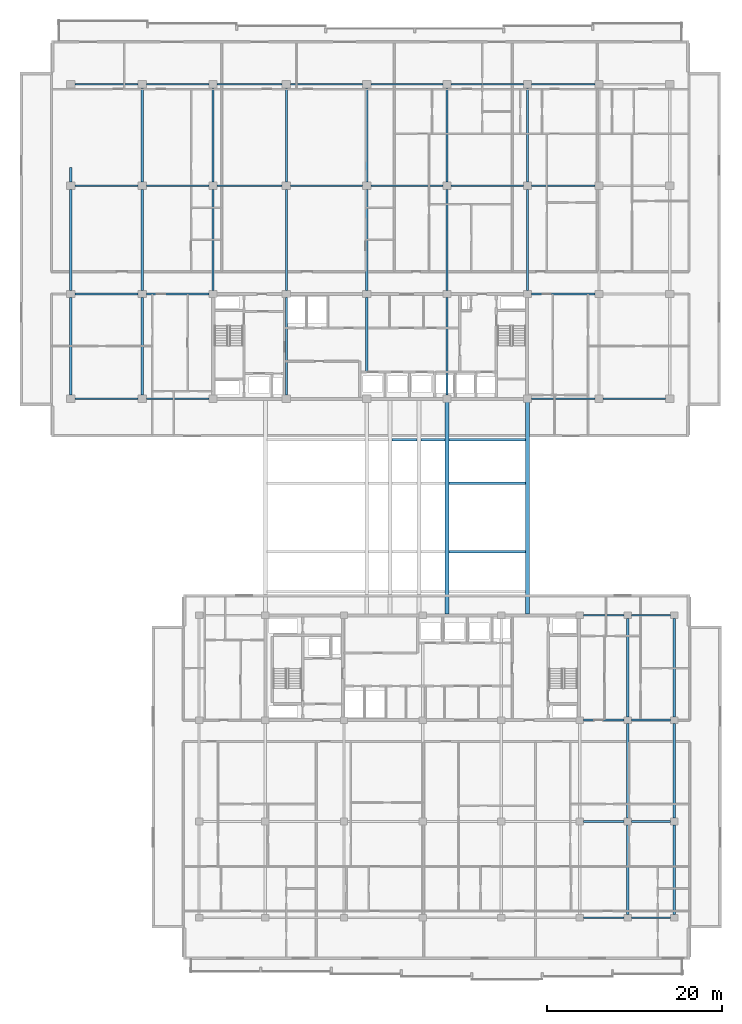
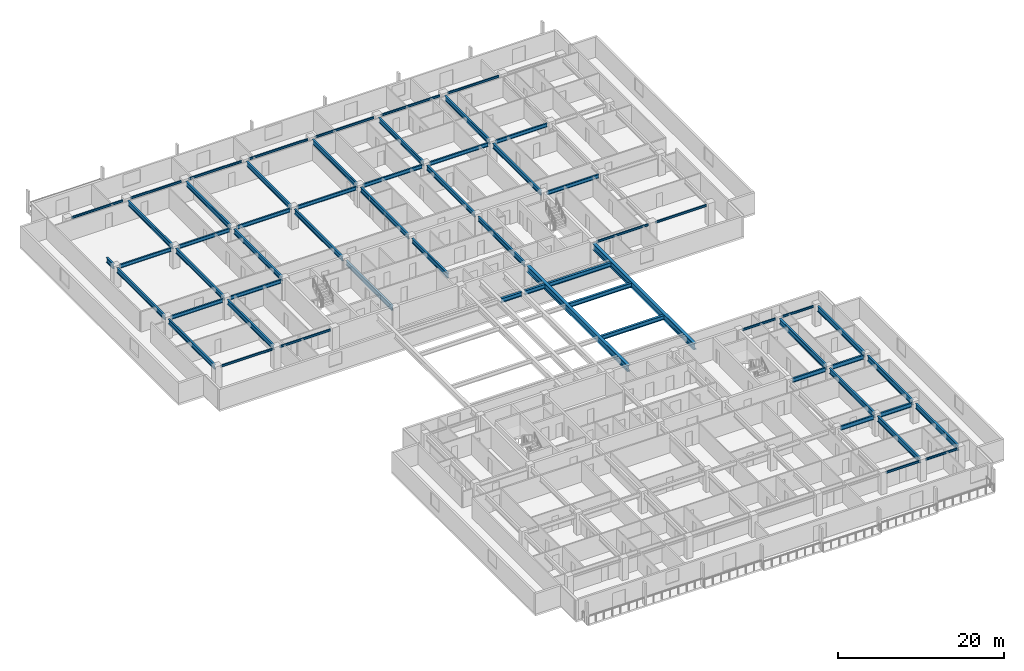
# One storey, part 2 of 21: 61 beams.
"""IFC4 building model written with IfcOpenShell, lengths in metres."""

from ifc_helpers import new_model, si_unit, direction, frame, origin, origin_2d, place, context, subcontext, project, spatial, i_section, extrude, material, material_profile, profile_set, type_object, element, save


model = new_model("IFC4")

# Units and contexts
model_context = context("Model", 3, precision=1e-05, world=origin(), true_north=direction((0.0, 1.0)))
body_context = subcontext(model_context, "Body", "Model", "MODEL_VIEW")
ifc_project = project(units=[si_unit("LENGTHUNIT", "METRE"), si_unit("AREAUNIT", "SQUARE_METRE"), si_unit("VOLUMEUNIT", "CUBIC_METRE"), si_unit("PLANEANGLEUNIT", "RADIAN"), si_unit("MASSUNIT", "GRAM", prefix="KILO")], contexts=[model_context])

# Site, building, storey
site_placement = place(None, origin())
site = spatial("IfcSite", under=ifc_project, at=site_placement, CompositionType="ELEMENT")
building_placement = place(site_placement, origin())
building = spatial("IfcBuilding", under=site, at=building_placement, Name="Korimba Cascade Residences", CompositionType="ELEMENT")
storey_placement = place(building_placement, frame((0.0, 0.0, 136.050048828125)))
storey = spatial("IfcBuildingStorey", under=building, at=storey_placement, Name="L39", CompositionType="ELEMENT", Elevation=136.050048828125)

# Beams
ifc_material_1 = material(Name="Steel S355", Category="steel")
ifc_material_profile_1 = material_profile(ifc_material_1, i_section(OverallWidth=0.165771484375, OverallDepth=0.306640625, WebThickness=0.006591796875, FlangeThickness=0.01171875, FilletRadius=0.0087890625, at=origin_2d()), Name="Steel S355")
ifc_profile_set_1 = profile_set([ifc_material_profile_1], Name="Steel S355")
beam_type_1 = type_object("IfcBeamType", Name="BM-STL-UB305", PredefinedType="SPANDREL", material=ifc_profile_set_1)
beam_1_placement = place(storey_placement, frame((60.27490234375, 55.199951171875, 2.806640625), z_axis=(1.0, 0.0, 0.0), x_axis=(0.0, 1.0, 0.0)))
element("IfcBeam", 1, at=beam_1_placement, inside=storey, type_object=beam_type_1, Name="L39 T1 E-W Girder Y1 Bay 1", PredefinedType="SPANDREL", context=body_context, shape_type="SweptSolid", body=[
    extrude(i_section(OverallWidth=0.165771484375, OverallDepth=0.306640625, WebThickness=0.006591796875, FlangeThickness=0.01171875, FilletRadius=0.0087890625, at=origin_2d()), origin(), (0.0, 0.0, 1.0), 7.25),
])
beam_2_placement = place(storey_placement, frame((68.47509765625, 55.199951171875, 2.806640625), z_axis=(1.0, 0.0, 0.0), x_axis=(0.0, 1.0, 0.0)))
element("IfcBeam", 2, at=beam_2_placement, inside=storey, type_object=beam_type_1, Name="L39 T1 E-W Girder Y1 Bay 2", PredefinedType="SPANDREL", context=body_context, shape_type="SweptSolid", body=[
    extrude(i_section(OverallWidth=0.165771484375, OverallDepth=0.306640625, WebThickness=0.006591796875, FlangeThickness=0.01171875, FilletRadius=0.0087890625, at=origin_2d()), origin(), (0.0, 0.0, 1.0), 7.14990234375),
])
beam_3_placement = place(storey_placement, frame((112.574951171875, 55.199951171875, 2.806640625), z_axis=(1.0, 0.0, 0.0), x_axis=(0.0, 1.0, 0.0)))
element("IfcBeam", 3, at=beam_3_placement, inside=storey, type_object=beam_type_1, Name="L39 T1 E-W Girder Y1 Bay 7", PredefinedType="SPANDREL", context=body_context, shape_type="SweptSolid", body=[
    extrude(i_section(OverallWidth=0.165771484375, OverallDepth=0.306640625, WebThickness=0.006591796875, FlangeThickness=0.01171875, FilletRadius=0.0087890625, at=origin_2d()), origin(), (0.0, 0.0, 1.0), 7.25),
])
beam_4_placement = place(storey_placement, frame((120.77490234375, 55.199951171875, 2.806640625), z_axis=(1.0, 0.0, 0.0), x_axis=(0.0, 1.0, 0.0)))
element("IfcBeam", 4, at=beam_4_placement, inside=storey, type_object=beam_type_1, Name="L39 T1 E-W Girder Y1 Bay 8", PredefinedType="SPANDREL", context=body_context, shape_type="SweptSolid", body=[
    extrude(i_section(OverallWidth=0.165771484375, OverallDepth=0.306640625, WebThickness=0.006591796875, FlangeThickness=0.01171875, FilletRadius=0.0087890625, at=origin_2d()), origin(), (0.0, 0.0, 1.0), 7.150146484375),
])
beam_5_placement = place(storey_placement, frame((60.27490234375, 91.199951171875, 2.806640625), z_axis=(1.0, 0.0, 0.0), x_axis=(0.0, 1.0, 0.0)))
element("IfcBeam", 5, at=beam_5_placement, inside=storey, type_object=beam_type_1, Name="L39 T1 E-W Girder Y4 Bay 1", PredefinedType="SPANDREL", context=body_context, shape_type="SweptSolid", body=[
    extrude(i_section(OverallWidth=0.165771484375, OverallDepth=0.306640625, WebThickness=0.006591796875, FlangeThickness=0.01171875, FilletRadius=0.0087890625, at=origin_2d()), origin(), (0.0, 0.0, 1.0), 7.25),
])
beam_6_placement = place(storey_placement, frame((68.47509765625, 91.199951171875, 2.806640625), z_axis=(1.0, 0.0, 0.0), x_axis=(0.0, 1.0, 0.0)))
element("IfcBeam", 6, at=beam_6_placement, inside=storey, type_object=beam_type_1, Name="L39 T1 E-W Girder Y4 Bay 2", PredefinedType="SPANDREL", context=body_context, shape_type="SweptSolid", body=[
    extrude(i_section(OverallWidth=0.165771484375, OverallDepth=0.306640625, WebThickness=0.006591796875, FlangeThickness=0.01171875, FilletRadius=0.0087890625, at=origin_2d()), origin(), (0.0, 0.0, 1.0), 7.14990234375),
])
beam_7_placement = place(storey_placement, frame((76.574951171875, 91.199951171875, 2.806640625), z_axis=(1.0, 0.0, 0.0), x_axis=(0.0, 1.0, 0.0)))
element("IfcBeam", 7, at=beam_7_placement, inside=storey, type_object=beam_type_1, Name="L39 T1 E-W Girder Y4 Bay 3", PredefinedType="SPANDREL", context=body_context, shape_type="SweptSolid", body=[
    extrude(i_section(OverallWidth=0.165771484375, OverallDepth=0.306640625, WebThickness=0.006591796875, FlangeThickness=0.01171875, FilletRadius=0.0087890625, at=origin_2d()), origin(), (0.0, 0.0, 1.0), 7.449951171875),
])
for number, where, z_axis, x_axis, name in (
    (8, (84.97509765625, 91.199951171875, 2.806640625), (1.0, 0.0, 0.0), (0.0, 1.0, 0.0), "L39 T1 E-W Girder Y4 Bay 4"),
    (9, (94.175048828125, 91.199951171875, 2.806640625), (1.0, 0.0, 0.0), (0.0, 1.0, 0.0), "L39 T1 E-W Girder Y4 Bay 5"),
    (10, (103.375, 91.199951171875, 2.806640625), (1.0, 0.0, 0.0), (0.0, 1.0, 0.0), "L39 T1 E-W Girder Y4 Bay 6"),
):
    element("IfcBeam", number, at=place(storey_placement, frame(where, z_axis=z_axis, x_axis=x_axis)), inside=storey, type_object=beam_type_1, Name=name, PredefinedType="SPANDREL", context=body_context, shape_type="SweptSolid", body=[
        extrude(i_section(OverallWidth=0.165771484375, OverallDepth=0.306640625, WebThickness=0.006591796875, FlangeThickness=0.01171875, FilletRadius=0.0087890625, at=origin_2d()), origin(), (0.0, 0.0, 1.0), 8.25),
    ])
beam_8_placement = place(storey_placement, frame((112.574951171875, 91.199951171875, 2.806640625), z_axis=(1.0, 0.0, 0.0), x_axis=(0.0, 1.0, 0.0)))
element("IfcBeam", 11, at=beam_8_placement, inside=storey, type_object=beam_type_1, Name="L39 T1 E-W Girder Y4 Bay 7", PredefinedType="SPANDREL", context=body_context, shape_type="SweptSolid", body=[
    extrude(i_section(OverallWidth=0.165771484375, OverallDepth=0.306640625, WebThickness=0.006591796875, FlangeThickness=0.01171875, FilletRadius=0.0087890625, at=origin_2d()), origin(), (0.0, 0.0, 1.0), 7.25),
])
beam_9_placement = place(storey_placement, frame((118.52490234375, -4.199951171875, 2.806640625), z_axis=(1.0, 0.0, 0.0), x_axis=(0.0, 1.0, 0.0)))
element("IfcBeam", 12, at=beam_9_placement, inside=storey, type_object=beam_type_1, Name="L39 T2 E-W Girder Y1 Bay 6", PredefinedType="SPANDREL", context=body_context, shape_type="SweptSolid", body=[
    extrude(i_section(OverallWidth=0.165771484375, OverallDepth=0.306640625, WebThickness=0.006591796875, FlangeThickness=0.01171875, FilletRadius=0.0087890625, at=origin_2d()), origin(), (0.0, 0.0, 1.0), 4.650146484375),
])
beam_10_placement = place(storey_placement, frame((124.02490234375, -4.199951171875, 2.806640625), z_axis=(1.0, 0.0, 0.0), x_axis=(0.0, 1.0, 0.0)))
element("IfcBeam", 13, at=beam_10_placement, inside=storey, type_object=beam_type_1, Name="L39 T2 E-W Girder Y1 Bay 7", PredefinedType="SPANDREL", context=body_context, shape_type="SweptSolid", body=[
    extrude(i_section(OverallWidth=0.165771484375, OverallDepth=0.306640625, WebThickness=0.006591796875, FlangeThickness=0.01171875, FilletRadius=0.0087890625, at=origin_2d()), origin(), (0.0, 0.0, 1.0), 4.4501953125),
])
beam_11_placement = place(storey_placement, frame((118.52490234375, 30.39990234375, 2.806640625), z_axis=(1.0, 0.0, 0.0), x_axis=(0.0, 1.0, 0.0)))
element("IfcBeam", 14, at=beam_11_placement, inside=storey, type_object=beam_type_1, Name="L39 T2 E-W Girder Y4 Bay 6", PredefinedType="SPANDREL", context=body_context, shape_type="SweptSolid", body=[
    extrude(i_section(OverallWidth=0.165771484375, OverallDepth=0.306640625, WebThickness=0.006591796875, FlangeThickness=0.01171875, FilletRadius=0.0087890625, at=origin_2d()), origin(), (0.0, 0.0, 1.0), 4.650146484375),
])
beam_12_placement = place(storey_placement, frame((124.02490234375, 30.39990234375, 2.806640625), z_axis=(1.0, 0.0, 0.0), x_axis=(0.0, 1.0, 0.0)))
element("IfcBeam", 15, at=beam_12_placement, inside=storey, type_object=beam_type_1, Name="L39 T2 E-W Girder Y4 Bay 7", PredefinedType="SPANDREL", context=body_context, shape_type="SweptSolid", body=[
    extrude(i_section(OverallWidth=0.165771484375, OverallDepth=0.306640625, WebThickness=0.006591796875, FlangeThickness=0.01171875, FilletRadius=0.0087890625, at=origin_2d()), origin(), (0.0, 0.0, 1.0), 4.4501953125),
])
ifc_material_profile_2 = material_profile(ifc_material_1, i_section(OverallWidth=0.2099609375, OverallDepth=0.53662109375, WebThickness=0.0107421875, FlangeThickness=0.017333984375, FilletRadius=0.0126953125, at=origin_2d()), Name="Steel S355")
ifc_profile_set_2 = profile_set([ifc_material_profile_2], Name="Steel S355")
beam_type_2 = type_object("IfcBeamType", Name="BM-STL-UB533", PredefinedType="BEAM", material=ifc_profile_set_2)
beam_13_placement = place(storey_placement, frame((60.27490234375, 67.199951171875, 2.691650390625), z_axis=(1.0, 0.0, 0.0), x_axis=(0.0, 1.0, 0.0)))
element("IfcBeam", 16, at=beam_13_placement, inside=storey, type_object=beam_type_2, Name="L39 T1 E-W Girder Y2 Bay 1", PredefinedType="BEAM", context=body_context, shape_type="SweptSolid", body=[
    extrude(i_section(OverallWidth=0.2099609375, OverallDepth=0.53662109375, WebThickness=0.0107421875, FlangeThickness=0.017333984375, FilletRadius=0.0126953125, at=origin_2d()), origin(), (0.0, 0.0, 1.0), 7.25),
])
beam_14_placement = place(storey_placement, frame((68.47509765625, 67.199951171875, 2.691650390625), z_axis=(1.0, 0.0, 0.0), x_axis=(0.0, 1.0, 0.0)))
element("IfcBeam", 17, at=beam_14_placement, inside=storey, type_object=beam_type_2, Name="L39 T1 E-W Girder Y2 Bay 2", PredefinedType="BEAM", context=body_context, shape_type="SweptSolid", body=[
    extrude(i_section(OverallWidth=0.2099609375, OverallDepth=0.53662109375, WebThickness=0.0107421875, FlangeThickness=0.017333984375, FilletRadius=0.0126953125, at=origin_2d()), origin(), (0.0, 0.0, 1.0), 7.14990234375),
])
for number, where, z_axis, x_axis, name in (
    (18, (112.574951171875, 67.199951171875, 2.691650390625), (1.0, 0.0, 0.0), (0.0, 1.0, 0.0), "L39 T1 E-W Girder Y2 Bay 7"),
    (19, (60.27490234375, 79.60009765625, 2.691650390625), (1.0, 0.0, 0.0), (0.0, 1.0, 0.0), "L39 T1 E-W Girder Y3 Bay 1"),
):
    element("IfcBeam", number, at=place(storey_placement, frame(where, z_axis=z_axis, x_axis=x_axis)), inside=storey, type_object=beam_type_2, Name=name, PredefinedType="BEAM", context=body_context, shape_type="SweptSolid", body=[
        extrude(i_section(OverallWidth=0.2099609375, OverallDepth=0.53662109375, WebThickness=0.0107421875, FlangeThickness=0.017333984375, FilletRadius=0.0126953125, at=origin_2d()), origin(), (0.0, 0.0, 1.0), 7.25),
    ])
beam_15_placement = place(storey_placement, frame((68.47509765625, 79.60009765625, 2.691650390625), z_axis=(1.0, 0.0, 0.0), x_axis=(0.0, 1.0, 0.0)))
element("IfcBeam", 20, at=beam_15_placement, inside=storey, type_object=beam_type_2, Name="L39 T1 E-W Girder Y3 Bay 2", PredefinedType="BEAM", context=body_context, shape_type="SweptSolid", body=[
    extrude(i_section(OverallWidth=0.2099609375, OverallDepth=0.53662109375, WebThickness=0.0107421875, FlangeThickness=0.017333984375, FilletRadius=0.0126953125, at=origin_2d()), origin(), (0.0, 0.0, 1.0), 7.14990234375),
])
beam_16_placement = place(storey_placement, frame((76.574951171875, 79.60009765625, 2.691650390625), z_axis=(1.0, 0.0, 0.0), x_axis=(0.0, 1.0, 0.0)))
element("IfcBeam", 21, at=beam_16_placement, inside=storey, type_object=beam_type_2, Name="L39 T1 E-W Girder Y3 Bay 3", PredefinedType="BEAM", context=body_context, shape_type="SweptSolid", body=[
    extrude(i_section(OverallWidth=0.2099609375, OverallDepth=0.53662109375, WebThickness=0.0107421875, FlangeThickness=0.017333984375, FilletRadius=0.0126953125, at=origin_2d()), origin(), (0.0, 0.0, 1.0), 7.449951171875),
])
for number, where, z_axis, x_axis, name in (
    (22, (84.97509765625, 79.60009765625, 2.691650390625), (1.0, 0.0, 0.0), (0.0, 1.0, 0.0), "L39 T1 E-W Girder Y3 Bay 4"),
    (23, (94.175048828125, 79.60009765625, 2.691650390625), (1.0, 0.0, 0.0), (0.0, 1.0, 0.0), "L39 T1 E-W Girder Y3 Bay 5"),
    (24, (103.375, 79.60009765625, 2.691650390625), (1.0, 0.0, 0.0), (0.0, 1.0, 0.0), "L39 T1 E-W Girder Y3 Bay 6"),
):
    element("IfcBeam", number, at=place(storey_placement, frame(where, z_axis=z_axis, x_axis=x_axis)), inside=storey, type_object=beam_type_2, Name=name, PredefinedType="BEAM", context=body_context, shape_type="SweptSolid", body=[
        extrude(i_section(OverallWidth=0.2099609375, OverallDepth=0.53662109375, WebThickness=0.0107421875, FlangeThickness=0.017333984375, FilletRadius=0.0126953125, at=origin_2d()), origin(), (0.0, 0.0, 1.0), 8.25),
    ])
beam_17_placement = place(storey_placement, frame((112.574951171875, 79.60009765625, 2.691650390625), z_axis=(1.0, 0.0, 0.0), x_axis=(0.0, 1.0, 0.0)))
element("IfcBeam", 25, at=beam_17_placement, inside=storey, type_object=beam_type_2, Name="L39 T1 E-W Girder Y3 Bay 7", PredefinedType="BEAM", context=body_context, shape_type="SweptSolid", body=[
    extrude(i_section(OverallWidth=0.2099609375, OverallDepth=0.53662109375, WebThickness=0.0107421875, FlangeThickness=0.017333984375, FilletRadius=0.0126953125, at=origin_2d()), origin(), (0.0, 0.0, 1.0), 7.25),
])
ifc_material_profile_3 = material_profile(ifc_material_1, i_section(OverallWidth=0.30712890625, OverallDepth=0.6201171875, WebThickness=0.01416015625, FlangeThickness=0.023681640625, FilletRadius=0.0166015625, at=origin_2d()), Name="Steel S355")
ifc_profile_set_3 = profile_set([ifc_material_profile_3], Name="Steel S355")
beam_type_3 = type_object("IfcBeamType", Name="BM-STL-UB610A", PredefinedType="BEAM", material=ifc_profile_set_3)
for number, where, z_axis, x_axis, name in (
    (26, (103.10888671875, 37.675048828125, 2.64990234375), (1.0, 0.0, 0.0), (0.0, 1.0, 0.0), "L39 Mid-Bridge Cross Beam 37.5"),
    (27, (103.10888671875, 45.52490234375, 2.64990234375), (1.0, 0.0, 0.0), (0.0, 1.0, 0.0), "L39 Mid-Bridge Cross Beam 45.5"),
):
    element("IfcBeam", number, at=place(storey_placement, frame(where, z_axis=z_axis, x_axis=x_axis)), inside=storey, type_object=beam_type_3, Name=name, PredefinedType="BEAM", context=body_context, shape_type="SweptSolid", body=[
        extrude(i_section(OverallWidth=0.30712890625, OverallDepth=0.6201171875, WebThickness=0.01416015625, FlangeThickness=0.023681640625, FilletRadius=0.0166015625, at=origin_2d()), origin(), (0.0, 0.0, 1.0), 8.7822265625),
    ])
beam_18_placement = place(storey_placement, frame((96.583984375, 50.5, 2.64990234375), z_axis=(1.0, 0.0, 0.0), x_axis=(0.0, 1.0, 0.0)))
element("IfcBeam", 28, at=beam_18_placement, inside=storey, type_object=beam_type_3, Name="L39 Mid-Bridge Cross Beam 50.3", PredefinedType="BEAM", context=body_context, shape_type="SweptSolid", body=[
    extrude(i_section(OverallWidth=0.30712890625, OverallDepth=0.6201171875, WebThickness=0.01416015625, FlangeThickness=0.023681640625, FilletRadius=0.0166015625, at=origin_2d()), origin(), (0.0, 0.0, 1.0), 2.89208984375),
])
beam_19_placement = place(storey_placement, frame((99.89404296875, 50.5, 2.64990234375), z_axis=(1.0, 0.0, 0.0), x_axis=(0.0, 1.0, 0.0)))
element("IfcBeam", 29, at=beam_19_placement, inside=storey, type_object=beam_type_3, Name="L39 Mid-Bridge Cross Beam 50.4", PredefinedType="BEAM", context=body_context, shape_type="SweptSolid", body=[
    extrude(i_section(OverallWidth=0.30712890625, OverallDepth=0.6201171875, WebThickness=0.01416015625, FlangeThickness=0.023681640625, FilletRadius=0.0166015625, at=origin_2d()), origin(), (0.0, 0.0, 1.0), 2.796875),
])
beam_20_placement = place(storey_placement, frame((103.10888671875, 50.5, 2.64990234375), z_axis=(1.0, 0.0, 0.0), x_axis=(0.0, 1.0, 0.0)))
element("IfcBeam", 30, at=beam_20_placement, inside=storey, type_object=beam_type_3, Name="L39 Mid-Bridge Cross Beam 50.5", PredefinedType="BEAM", context=body_context, shape_type="SweptSolid", body=[
    extrude(i_section(OverallWidth=0.30712890625, OverallDepth=0.6201171875, WebThickness=0.01416015625, FlangeThickness=0.023681640625, FilletRadius=0.0166015625, at=origin_2d()), origin(), (0.0, 0.0, 1.0), 8.7822265625),
])
ifc_material_profile_4 = material_profile(ifc_material_1, i_section(OverallWidth=0.22900390625, OverallDepth=0.6123046875, WebThickness=0.011962890625, FlangeThickness=0.01953125, FilletRadius=0.0126953125, at=origin_2d()), Name="Steel S355")
ifc_profile_set_4 = profile_set([ifc_material_profile_4], Name="Steel S355")
beam_type_4 = type_object("IfcBeamType", Name="BM-STL-UB610B", PredefinedType="BEAM", material=ifc_profile_set_4)
beam_21_placement = place(storey_placement, frame((118.52490234375, 6.800048828125, 2.65380859375), z_axis=(1.0, 0.0, 0.0), x_axis=(0.0, 1.0, 0.0)))
element("IfcBeam", 31, at=beam_21_placement, inside=storey, type_object=beam_type_4, Name="L39 T2 E-W Girder Y2 Bay 6", PredefinedType="BEAM", context=body_context, shape_type="SweptSolid", body=[
    extrude(i_section(OverallWidth=0.22900390625, OverallDepth=0.6123046875, WebThickness=0.011962890625, FlangeThickness=0.01953125, FilletRadius=0.0126953125, at=origin_2d()), origin(), (0.0, 0.0, 1.0), 4.650146484375),
])
beam_22_placement = place(storey_placement, frame((124.02490234375, 6.800048828125, 2.65380859375), z_axis=(1.0, 0.0, 0.0), x_axis=(0.0, 1.0, 0.0)))
element("IfcBeam", 32, at=beam_22_placement, inside=storey, type_object=beam_type_4, Name="L39 T2 E-W Girder Y2 Bay 7", PredefinedType="BEAM", context=body_context, shape_type="SweptSolid", body=[
    extrude(i_section(OverallWidth=0.22900390625, OverallDepth=0.6123046875, WebThickness=0.011962890625, FlangeThickness=0.01953125, FilletRadius=0.0126953125, at=origin_2d()), origin(), (0.0, 0.0, 1.0), 4.4501953125),
])
beam_23_placement = place(storey_placement, frame((118.52490234375, 18.39990234375, 2.65380859375), z_axis=(1.0, 0.0, 0.0), x_axis=(0.0, 1.0, 0.0)))
element("IfcBeam", 33, at=beam_23_placement, inside=storey, type_object=beam_type_4, Name="L39 T2 E-W Girder Y3 Bay 6", PredefinedType="BEAM", context=body_context, shape_type="SweptSolid", body=[
    extrude(i_section(OverallWidth=0.22900390625, OverallDepth=0.6123046875, WebThickness=0.011962890625, FlangeThickness=0.01953125, FilletRadius=0.0126953125, at=origin_2d()), origin(), (0.0, 0.0, 1.0), 4.650146484375),
])
beam_24_placement = place(storey_placement, frame((124.02490234375, 18.39990234375, 2.65380859375), z_axis=(1.0, 0.0, 0.0), x_axis=(0.0, 1.0, 0.0)))
element("IfcBeam", 34, at=beam_24_placement, inside=storey, type_object=beam_type_4, Name="L39 T2 E-W Girder Y3 Bay 7", PredefinedType="BEAM", context=body_context, shape_type="SweptSolid", body=[
    extrude(i_section(OverallWidth=0.22900390625, OverallDepth=0.6123046875, WebThickness=0.011962890625, FlangeThickness=0.01953125, FilletRadius=0.0126953125, at=origin_2d()), origin(), (0.0, 0.0, 1.0), 4.4501953125),
])
ifc_material_profile_5 = material_profile(ifc_material_1, i_section(OverallWidth=0.255859375, OverallDepth=0.69287109375, WebThickness=0.014404296875, FlangeThickness=0.023681640625, FilletRadius=0.01513671875, at=origin_2d()), Name="Steel S355")
ifc_profile_set_5 = profile_set([ifc_material_profile_5], Name="Steel S355")
beam_type_5 = type_object("IfcBeamType", Name="BM-STL-UB686", PredefinedType="BEAM", material=ifc_profile_set_5)
beam_25_placement = place(storey_placement, frame((59.800048828125, 55.625, 2.613525390625), z_axis=(0.0, 1.0, 0.0), x_axis=(-1.0, 0.0, 0.0)))
element("IfcBeam", 35, at=beam_25_placement, inside=storey, type_object=beam_type_5, Name="L39 T1 N-S Girder X1 Seg 1", PredefinedType="BEAM", context=body_context, shape_type="SweptSolid", body=[
    extrude(i_section(OverallWidth=0.255859375, OverallDepth=0.69287109375, WebThickness=0.014404296875, FlangeThickness=0.023681640625, FilletRadius=0.01513671875, at=origin_2d()), origin(), (0.0, 0.0, 1.0), 11.14990234375),
])
beam_26_placement = place(storey_placement, frame((59.800048828125, 67.625, 2.613525390625), z_axis=(0.0, 1.0, 0.0), x_axis=(-1.0, 0.0, 0.0)))
element("IfcBeam", 36, at=beam_26_placement, inside=storey, type_object=beam_type_5, Name="L39 T1 N-S Girder X1 Seg 2", PredefinedType="BEAM", context=body_context, shape_type="SweptSolid", body=[
    extrude(i_section(OverallWidth=0.255859375, OverallDepth=0.69287109375, WebThickness=0.014404296875, FlangeThickness=0.023681640625, FilletRadius=0.01513671875, at=origin_2d()), origin(), (0.0, 0.0, 1.0), 11.550048828125),
])
beam_27_placement = place(storey_placement, frame((59.800048828125, 80.02490234375, 2.613525390625), z_axis=(0.0, 1.0, 0.0), x_axis=(-1.0, 0.0, 0.0)))
element("IfcBeam", 37, at=beam_27_placement, inside=storey, type_object=beam_type_5, Name="L39 T1 N-S Girder X1 Seg 3", PredefinedType="BEAM", context=body_context, shape_type="SweptSolid", body=[
    extrude(i_section(OverallWidth=0.255859375, OverallDepth=0.69287109375, WebThickness=0.014404296875, FlangeThickness=0.023681640625, FilletRadius=0.01513671875, at=origin_2d()), origin(), (0.0, 0.0, 1.0), 1.675048828125),
])
beam_28_placement = place(storey_placement, frame((68.0, 55.625, 2.613525390625), z_axis=(0.0, 1.0, 0.0), x_axis=(-1.0, 0.0, 0.0)))
element("IfcBeam", 38, at=beam_28_placement, inside=storey, type_object=beam_type_5, Name="L39 T1 N-S Girder X2 Seg 1", PredefinedType="BEAM", context=body_context, shape_type="SweptSolid", body=[
    extrude(i_section(OverallWidth=0.255859375, OverallDepth=0.69287109375, WebThickness=0.014404296875, FlangeThickness=0.023681640625, FilletRadius=0.01513671875, at=origin_2d()), origin(), (0.0, 0.0, 1.0), 11.14990234375),
])
beam_29_placement = place(storey_placement, frame((68.0, 67.625, 2.613525390625), z_axis=(0.0, 1.0, 0.0), x_axis=(-1.0, 0.0, 0.0)))
element("IfcBeam", 39, at=beam_29_placement, inside=storey, type_object=beam_type_5, Name="L39 T1 N-S Girder X2 Seg 2", PredefinedType="BEAM", context=body_context, shape_type="SweptSolid", body=[
    extrude(i_section(OverallWidth=0.255859375, OverallDepth=0.69287109375, WebThickness=0.014404296875, FlangeThickness=0.023681640625, FilletRadius=0.01513671875, at=origin_2d()), origin(), (0.0, 0.0, 1.0), 11.550048828125),
])
beam_30_placement = place(storey_placement, frame((68.0, 80.02490234375, 2.613525390625), z_axis=(0.0, 1.0, 0.0), x_axis=(-1.0, 0.0, 0.0)))
element("IfcBeam", 40, at=beam_30_placement, inside=storey, type_object=beam_type_5, Name="L39 T1 N-S Girder X2 Seg 3", PredefinedType="BEAM", context=body_context, shape_type="SweptSolid", body=[
    extrude(i_section(OverallWidth=0.255859375, OverallDepth=0.69287109375, WebThickness=0.014404296875, FlangeThickness=0.023681640625, FilletRadius=0.01513671875, at=origin_2d()), origin(), (0.0, 0.0, 1.0), 10.75),
])
beam_31_placement = place(storey_placement, frame((76.10009765625, 67.625, 2.613525390625), z_axis=(0.0, 1.0, 0.0), x_axis=(-1.0, 0.0, 0.0)))
element("IfcBeam", 41, at=beam_31_placement, inside=storey, type_object=beam_type_5, Name="L39 T1 N-S Girder X3 Seg 2", PredefinedType="BEAM", context=body_context, shape_type="SweptSolid", body=[
    extrude(i_section(OverallWidth=0.255859375, OverallDepth=0.69287109375, WebThickness=0.014404296875, FlangeThickness=0.023681640625, FilletRadius=0.01513671875, at=origin_2d()), origin(), (0.0, 0.0, 1.0), 11.550048828125),
])
beam_32_placement = place(storey_placement, frame((76.10009765625, 80.02490234375, 2.613525390625), z_axis=(0.0, 1.0, 0.0), x_axis=(-1.0, 0.0, 0.0)))
element("IfcBeam", 42, at=beam_32_placement, inside=storey, type_object=beam_type_5, Name="L39 T1 N-S Girder X3 Seg 3", PredefinedType="BEAM", context=body_context, shape_type="SweptSolid", body=[
    extrude(i_section(OverallWidth=0.255859375, OverallDepth=0.69287109375, WebThickness=0.014404296875, FlangeThickness=0.023681640625, FilletRadius=0.01513671875, at=origin_2d()), origin(), (0.0, 0.0, 1.0), 10.75),
])
beam_33_placement = place(storey_placement, frame((84.5, 55.625, 2.613525390625), z_axis=(0.0, 1.0, 0.0), x_axis=(-1.0, 0.0, 0.0)))
element("IfcBeam", 43, at=beam_33_placement, inside=storey, type_object=beam_type_5, Name="L39 T1 N-S Girder X4 Seg 1", PredefinedType="BEAM", context=body_context, shape_type="SweptSolid", body=[
    extrude(i_section(OverallWidth=0.255859375, OverallDepth=0.69287109375, WebThickness=0.014404296875, FlangeThickness=0.023681640625, FilletRadius=0.01513671875, at=origin_2d()), origin(), (0.0, 0.0, 1.0), 11.14990234375),
])
beam_34_placement = place(storey_placement, frame((84.5, 67.625, 2.613525390625), z_axis=(0.0, 1.0, 0.0), x_axis=(-1.0, 0.0, 0.0)))
element("IfcBeam", 44, at=beam_34_placement, inside=storey, type_object=beam_type_5, Name="L39 T1 N-S Girder X4 Seg 2", PredefinedType="BEAM", context=body_context, shape_type="SweptSolid", body=[
    extrude(i_section(OverallWidth=0.255859375, OverallDepth=0.69287109375, WebThickness=0.014404296875, FlangeThickness=0.023681640625, FilletRadius=0.01513671875, at=origin_2d()), origin(), (0.0, 0.0, 1.0), 11.550048828125),
])
beam_35_placement = place(storey_placement, frame((84.5, 80.02490234375, 2.613525390625), z_axis=(0.0, 1.0, 0.0), x_axis=(-1.0, 0.0, 0.0)))
element("IfcBeam", 45, at=beam_35_placement, inside=storey, type_object=beam_type_5, Name="L39 T1 N-S Girder X4 Seg 3", PredefinedType="BEAM", context=body_context, shape_type="SweptSolid", body=[
    extrude(i_section(OverallWidth=0.255859375, OverallDepth=0.69287109375, WebThickness=0.014404296875, FlangeThickness=0.023681640625, FilletRadius=0.01513671875, at=origin_2d()), origin(), (0.0, 0.0, 1.0), 10.75),
])
beam_36_placement = place(storey_placement, frame((93.699951171875, 58.159912109375, 2.613525390625), z_axis=(0.0, 1.0, 0.0), x_axis=(-1.0, 0.0, 0.0)))
element("IfcBeam", 46, at=beam_36_placement, inside=storey, type_object=beam_type_5, Name="L39 T1 N-S Girder X5 Seg 1", PredefinedType="BEAM", context=body_context, shape_type="SweptSolid", body=[
    extrude(i_section(OverallWidth=0.255859375, OverallDepth=0.69287109375, WebThickness=0.014404296875, FlangeThickness=0.023681640625, FilletRadius=0.01513671875, at=origin_2d()), origin(), (0.0, 0.0, 1.0), 8.614990234375),
])
beam_37_placement = place(storey_placement, frame((93.699951171875, 67.625, 2.613525390625), z_axis=(0.0, 1.0, 0.0), x_axis=(-1.0, 0.0, 0.0)))
element("IfcBeam", 47, at=beam_37_placement, inside=storey, type_object=beam_type_5, Name="L39 T1 N-S Girder X5 Seg 2", PredefinedType="BEAM", context=body_context, shape_type="SweptSolid", body=[
    extrude(i_section(OverallWidth=0.255859375, OverallDepth=0.69287109375, WebThickness=0.014404296875, FlangeThickness=0.023681640625, FilletRadius=0.01513671875, at=origin_2d()), origin(), (0.0, 0.0, 1.0), 11.550048828125),
])
beam_38_placement = place(storey_placement, frame((93.699951171875, 80.02490234375, 2.613525390625), z_axis=(0.0, 1.0, 0.0), x_axis=(-1.0, 0.0, 0.0)))
element("IfcBeam", 48, at=beam_38_placement, inside=storey, type_object=beam_type_5, Name="L39 T1 N-S Girder X5 Seg 3", PredefinedType="BEAM", context=body_context, shape_type="SweptSolid", body=[
    extrude(i_section(OverallWidth=0.255859375, OverallDepth=0.69287109375, WebThickness=0.014404296875, FlangeThickness=0.023681640625, FilletRadius=0.01513671875, at=origin_2d()), origin(), (0.0, 0.0, 1.0), 10.75),
])
beam_39_placement = place(storey_placement, frame((102.89990234375, 55.625, 2.613525390625), z_axis=(0.0, 1.0, 0.0), x_axis=(-1.0, 0.0, 0.0)))
element("IfcBeam", 49, at=beam_39_placement, inside=storey, type_object=beam_type_5, Name="L39 T1 N-S Girder X6 Seg 1", PredefinedType="BEAM", context=body_context, shape_type="SweptSolid", body=[
    extrude(i_section(OverallWidth=0.255859375, OverallDepth=0.69287109375, WebThickness=0.014404296875, FlangeThickness=0.023681640625, FilletRadius=0.01513671875, at=origin_2d()), origin(), (0.0, 0.0, 1.0), 11.14990234375),
])
beam_40_placement = place(storey_placement, frame((102.89990234375, 67.625, 2.613525390625), z_axis=(0.0, 1.0, 0.0), x_axis=(-1.0, 0.0, 0.0)))
element("IfcBeam", 50, at=beam_40_placement, inside=storey, type_object=beam_type_5, Name="L39 T1 N-S Girder X6 Seg 2", PredefinedType="BEAM", context=body_context, shape_type="SweptSolid", body=[
    extrude(i_section(OverallWidth=0.255859375, OverallDepth=0.69287109375, WebThickness=0.014404296875, FlangeThickness=0.023681640625, FilletRadius=0.01513671875, at=origin_2d()), origin(), (0.0, 0.0, 1.0), 11.550048828125),
])
beam_41_placement = place(storey_placement, frame((102.89990234375, 80.02490234375, 2.613525390625), z_axis=(0.0, 1.0, 0.0), x_axis=(-1.0, 0.0, 0.0)))
element("IfcBeam", 51, at=beam_41_placement, inside=storey, type_object=beam_type_5, Name="L39 T1 N-S Girder X6 Seg 3", PredefinedType="BEAM", context=body_context, shape_type="SweptSolid", body=[
    extrude(i_section(OverallWidth=0.255859375, OverallDepth=0.69287109375, WebThickness=0.014404296875, FlangeThickness=0.023681640625, FilletRadius=0.01513671875, at=origin_2d()), origin(), (0.0, 0.0, 1.0), 10.75),
])
beam_42_placement = place(storey_placement, frame((112.10009765625, 67.625, 2.613525390625), z_axis=(0.0, 1.0, 0.0), x_axis=(-1.0, 0.0, 0.0)))
element("IfcBeam", 52, at=beam_42_placement, inside=storey, type_object=beam_type_5, Name="L39 T1 N-S Girder X7 Seg 2", PredefinedType="BEAM", context=body_context, shape_type="SweptSolid", body=[
    extrude(i_section(OverallWidth=0.255859375, OverallDepth=0.69287109375, WebThickness=0.014404296875, FlangeThickness=0.023681640625, FilletRadius=0.01513671875, at=origin_2d()), origin(), (0.0, 0.0, 1.0), 11.550048828125),
])
beam_43_placement = place(storey_placement, frame((112.10009765625, 80.02490234375, 2.613525390625), z_axis=(0.0, 1.0, 0.0), x_axis=(-1.0, 0.0, 0.0)))
element("IfcBeam", 53, at=beam_43_placement, inside=storey, type_object=beam_type_5, Name="L39 T1 N-S Girder X7 Seg 3", PredefinedType="BEAM", context=body_context, shape_type="SweptSolid", body=[
    extrude(i_section(OverallWidth=0.255859375, OverallDepth=0.69287109375, WebThickness=0.014404296875, FlangeThickness=0.023681640625, FilletRadius=0.01513671875, at=origin_2d()), origin(), (0.0, 0.0, 1.0), 10.75),
])
ifc_material_profile_6 = material_profile(ifc_material_1, i_section(OverallWidth=0.26806640625, OverallDepth=0.769775390625, WebThickness=0.015625, FlangeThickness=0.025390625, FilletRadius=0.0166015625, at=origin_2d()), Name="Steel S355")
ifc_profile_set_6 = profile_set([ifc_material_profile_6], Name="Steel S355")
beam_type_6 = type_object("IfcBeamType", Name="BM-STL-UB762", PredefinedType="BEAM", material=ifc_profile_set_6)
beam_44_placement = place(storey_placement, frame((123.60009765625, -3.824951171875, 2.574951171875), z_axis=(0.0, 1.0, 0.0), x_axis=(-1.0, 0.0, 0.0)))
element("IfcBeam", 54, at=beam_44_placement, inside=storey, type_object=beam_type_6, Name="L39 T2 N-S Girder X7 Seg 1", PredefinedType="BEAM", context=body_context, shape_type="SweptSolid", body=[
    extrude(i_section(OverallWidth=0.26806640625, OverallDepth=0.769775390625, WebThickness=0.015625, FlangeThickness=0.025390625, FilletRadius=0.0166015625, at=origin_2d()), origin(), (0.0, 0.0, 1.0), 10.25),
])
beam_45_placement = place(storey_placement, frame((123.60009765625, 7.175048828125, 2.574951171875), z_axis=(0.0, 1.0, 0.0), x_axis=(-1.0, 0.0, 0.0)))
element("IfcBeam", 55, at=beam_45_placement, inside=storey, type_object=beam_type_6, Name="L39 T2 N-S Girder X7 Seg 2", PredefinedType="BEAM", context=body_context, shape_type="SweptSolid", body=[
    extrude(i_section(OverallWidth=0.26806640625, OverallDepth=0.769775390625, WebThickness=0.015625, FlangeThickness=0.025390625, FilletRadius=0.0166015625, at=origin_2d()), origin(), (0.0, 0.0, 1.0), 10.849853515625),
])
beam_46_placement = place(storey_placement, frame((123.60009765625, 18.77490234375, 2.574951171875), z_axis=(0.0, 1.0, 0.0), x_axis=(-1.0, 0.0, 0.0)))
element("IfcBeam", 56, at=beam_46_placement, inside=storey, type_object=beam_type_6, Name="L39 T2 N-S Girder X7 Seg 3", PredefinedType="BEAM", context=body_context, shape_type="SweptSolid", body=[
    extrude(i_section(OverallWidth=0.26806640625, OverallDepth=0.769775390625, WebThickness=0.015625, FlangeThickness=0.025390625, FilletRadius=0.0166015625, at=origin_2d()), origin(), (0.0, 0.0, 1.0), 11.25),
])
beam_47_placement = place(storey_placement, frame((128.89990234375, -3.824951171875, 2.574951171875), z_axis=(0.0, 1.0, 0.0), x_axis=(-1.0, 0.0, 0.0)))
element("IfcBeam", 57, at=beam_47_placement, inside=storey, type_object=beam_type_6, Name="L39 T2 N-S Girder X8 Seg 1", PredefinedType="BEAM", context=body_context, shape_type="SweptSolid", body=[
    extrude(i_section(OverallWidth=0.26806640625, OverallDepth=0.769775390625, WebThickness=0.015625, FlangeThickness=0.025390625, FilletRadius=0.0166015625, at=origin_2d()), origin(), (0.0, 0.0, 1.0), 10.25),
])
beam_48_placement = place(storey_placement, frame((128.89990234375, 7.175048828125, 2.574951171875), z_axis=(0.0, 1.0, 0.0), x_axis=(-1.0, 0.0, 0.0)))
element("IfcBeam", 58, at=beam_48_placement, inside=storey, type_object=beam_type_6, Name="L39 T2 N-S Girder X8 Seg 2", PredefinedType="BEAM", context=body_context, shape_type="SweptSolid", body=[
    extrude(i_section(OverallWidth=0.26806640625, OverallDepth=0.769775390625, WebThickness=0.015625, FlangeThickness=0.025390625, FilletRadius=0.0166015625, at=origin_2d()), origin(), (0.0, 0.0, 1.0), 10.849853515625),
])
beam_49_placement = place(storey_placement, frame((128.89990234375, 18.77490234375, 2.574951171875), z_axis=(0.0, 1.0, 0.0), x_axis=(-1.0, 0.0, 0.0)))
element("IfcBeam", 59, at=beam_49_placement, inside=storey, type_object=beam_type_6, Name="L39 T2 N-S Girder X8 Seg 3", PredefinedType="BEAM", context=body_context, shape_type="SweptSolid", body=[
    extrude(i_section(OverallWidth=0.26806640625, OverallDepth=0.769775390625, WebThickness=0.015625, FlangeThickness=0.025390625, FilletRadius=0.0166015625, at=origin_2d()), origin(), (0.0, 0.0, 1.0), 11.25),
])
ifc_material_2 = material(Name="Steel S460", Category="steel")
ifc_material_profile_7 = material_profile(ifc_material_2, i_section(OverallWidth=0.42041015625, OverallDepth=0.9208984375, WebThickness=0.021484375, FlangeThickness=0.03662109375, FilletRadius=0.02392578125, at=origin_2d()), Name="Steel S460")
ifc_profile_set_7 = profile_set([ifc_material_profile_7], Name="Steel S460")
beam_type_7 = type_object("IfcBeamType", Name="BM-STL-UB914A", PredefinedType="BEAM", material=ifc_profile_set_7)
for number, where, z_axis, x_axis, name in (
    (60, (102.89990234375, 30.574951171875, 2.49951171875), (0.0, 1.0, 0.0), (-1.0, 0.0, 0.0), "L39 Rigid Mid-Bridge Truss Chord 5"),
    (61, (112.10009765625, 30.574951171875, 2.49951171875), (0.0, 1.0, 0.0), (-1.0, 0.0, 0.0), "L39 Rigid Mid-Bridge Truss Chord 6"),
):
    element("IfcBeam", number, at=place(storey_placement, frame(where, z_axis=z_axis, x_axis=x_axis)), inside=storey, type_object=beam_type_7, Name=name, PredefinedType="BEAM", context=body_context, shape_type="SweptSolid", body=[
        extrude(i_section(OverallWidth=0.42041015625, OverallDepth=0.9208984375, WebThickness=0.021484375, FlangeThickness=0.03662109375, FilletRadius=0.02392578125, at=origin_2d()), origin(), (0.0, 0.0, 1.0), 24.449951171875),
    ])

save(model, "model.ifc")
